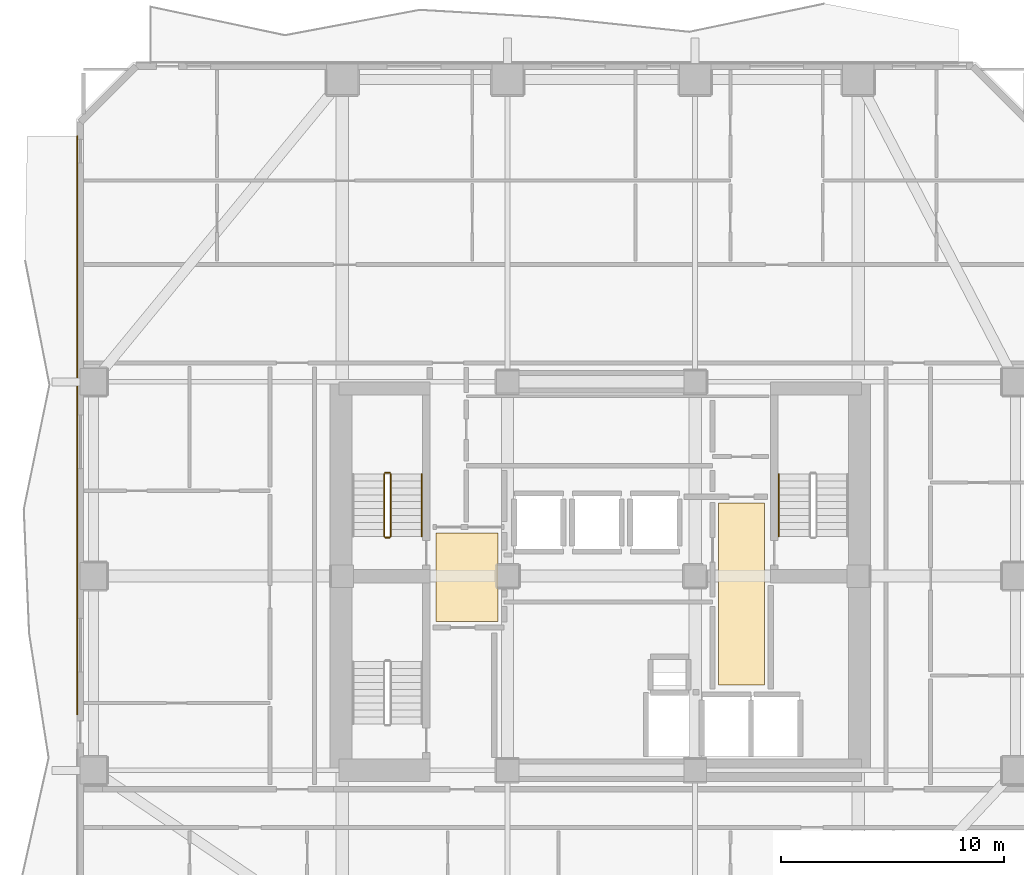
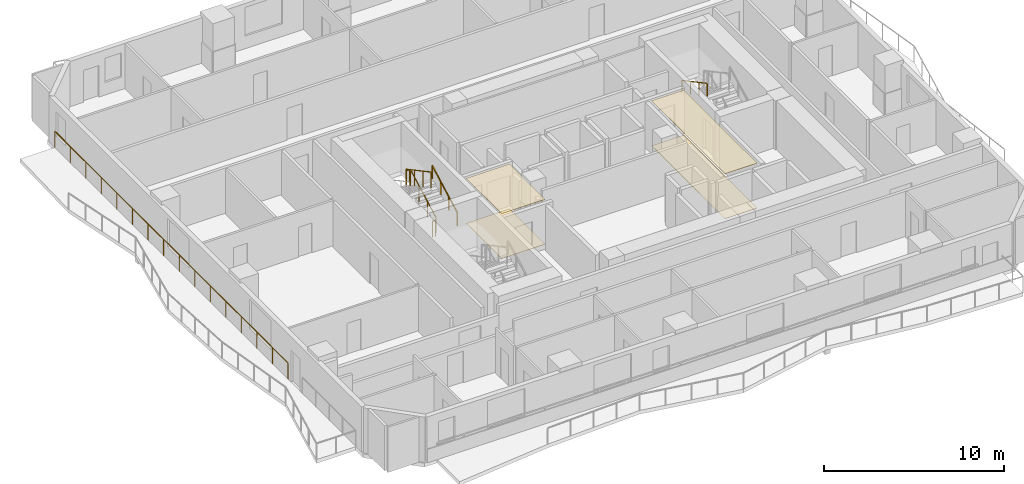
# One storey, part 10 of 12: 7 railings, 4 coverings.
"""IFC4 building model written with IfcOpenShell, lengths in metres."""

from ifc_helpers import new_model, si_unit, direction, frame, origin, origin_2d, place, context, subcontext, project, spatial, polyline, rectangle, outline, extrude, material, layer, layer_set, type_object, element, save


model = new_model("IFC4")

# Units and contexts
model_context = context("Model", 3, precision=1e-05, world=origin(), true_north=direction((0.0, 1.0)))
body_context = subcontext(model_context, "Body", "Model", "MODEL_VIEW")
ifc_project = project(units=[si_unit("LENGTHUNIT", "METRE"), si_unit("AREAUNIT", "SQUARE_METRE"), si_unit("VOLUMEUNIT", "CUBIC_METRE"), si_unit("PLANEANGLEUNIT", "RADIAN"), si_unit("MASSUNIT", "GRAM", prefix="KILO")], contexts=[model_context])

# Site, building, storey
site_placement = place(None, origin())
site = spatial("IfcSite", under=ifc_project, at=site_placement, CompositionType="ELEMENT")
building_placement = place(site_placement, origin())
building = spatial("IfcBuilding", under=site, at=building_placement, Name="Solanera Arch Residences", CompositionType="ELEMENT")
storey_placement = place(building_placement, frame((0.0, 0.0, 96.1201171875)))
storey = spatial("IfcBuildingStorey", under=building, at=storey_placement, Name="L27", CompositionType="ELEMENT", Elevation=96.1201171875)

# Railing
ifc_material_1 = material(Name="Steel S355 (ASTM A992 / A572 Grade 50)", Category="steel")
railing_type_1 = type_object("IfcRailingType", Name="Balustrade Railing BL-1100", PredefinedType="BALUSTRADE", material=ifc_material_1)
railing_1_placement = place(storey_placement, frame((1.52001953125, 24.51904296875, 0.0)))
element("IfcRailing", 1, at=railing_1_placement, inside=storey, type_object=railing_type_1, Name="L27 W Balcony Balustrade 2", PredefinedType="BALUSTRADE", context=body_context, shape_type="SweptSolid", body=[
    extrude(rectangle(XDim=0.048095703125, YDim=0.048095703125, at=origin_2d()), frame((0.0, 0.0, 1.09619140625), z_axis=(0.0, 1.0, 0.0), x_axis=(-1.0, 0.0, 0.0)), (0.0, 0.0, 1.0), 25.880859375),
    extrude(rectangle(XDim=0.0419921875, YDim=0.0419921875, at=origin_2d()), origin(), (0.0, 0.0, 1.0), 1.072021484375),
    extrude(rectangle(XDim=0.0419921875, YDim=0.0419921875, at=origin_2d()), frame((0.0, 1.725341796875, 0.0)), (0.0, 0.0, 1.0), 1.072021484375),
    extrude(rectangle(XDim=0.0419921875, YDim=0.0419921875, at=origin_2d()), frame((0.0, 3.45068359375, 0.0)), (0.0, 0.0, 1.0), 1.072021484375),
    extrude(rectangle(XDim=0.0419921875, YDim=0.0419921875, at=origin_2d()), frame((0.0, 5.17626953125, 0.0)), (0.0, 0.0, 1.0), 1.072021484375),
    extrude(rectangle(XDim=0.0419921875, YDim=0.0419921875, at=origin_2d()), frame((0.0, 6.901611328125, 0.0)), (0.0, 0.0, 1.0), 1.072021484375),
    extrude(rectangle(XDim=0.0419921875, YDim=0.0419921875, at=origin_2d()), frame((0.0, 8.626953125, 0.0)), (0.0, 0.0, 1.0), 1.072021484375),
    extrude(rectangle(XDim=0.0419921875, YDim=0.0419921875, at=origin_2d()), frame((0.0, 10.352294921875, 0.0)), (0.0, 0.0, 1.0), 1.072021484375),
    extrude(rectangle(XDim=0.0419921875, YDim=0.0419921875, at=origin_2d()), frame((0.0, 12.07763671875, 0.0)), (0.0, 0.0, 1.0), 1.072021484375),
    extrude(rectangle(XDim=0.0419921875, YDim=0.0419921875, at=origin_2d()), frame((0.0, 13.80322265625, 0.0)), (0.0, 0.0, 1.0), 1.072021484375),
    extrude(rectangle(XDim=0.0419921875, YDim=0.0419921875, at=origin_2d()), frame((0.0, 15.528564453125, 0.0)), (0.0, 0.0, 1.0), 1.072021484375),
    extrude(rectangle(XDim=0.0419921875, YDim=0.0419921875, at=origin_2d()), frame((0.0, 17.25390625, 0.0)), (0.0, 0.0, 1.0), 1.072021484375),
    extrude(rectangle(XDim=0.0419921875, YDim=0.0419921875, at=origin_2d()), frame((0.0, 18.979248046875, 0.0)), (0.0, 0.0, 1.0), 1.072021484375),
    extrude(rectangle(XDim=0.0419921875, YDim=0.0419921875, at=origin_2d()), frame((0.0, 20.70458984375, 0.0)), (0.0, 0.0, 1.0), 1.072021484375),
    extrude(rectangle(XDim=0.0419921875, YDim=0.0419921875, at=origin_2d()), frame((0.0, 22.43017578125, 0.0)), (0.0, 0.0, 1.0), 1.072021484375),
    extrude(rectangle(XDim=0.0419921875, YDim=0.0419921875, at=origin_2d()), frame((0.0, 24.155517578125, 0.0)), (0.0, 0.0, 1.0), 1.072021484375),
    extrude(rectangle(XDim=0.0419921875, YDim=0.0419921875, at=origin_2d()), frame((0.0, 25.880859375, 0.0)), (0.0, 0.0, 1.0), 1.072021484375),
])

# Coverings
ifc_material_2 = material(Name="Porcelain Acoustic Floor Tile", Category="ceramic")
ifc_layer_1 = layer(ifc_material_2, 0.02001953125)
ifc_layer_set_1 = layer_set([ifc_layer_1], Name="Porcelain Acoustic Floor Tile")
covering_type_1 = type_object("IfcCoveringType", Name="Porcelain Acoustic Floor Finish FLR-20", PredefinedType="FLOORING", material=ifc_layer_set_1)
covering_1_placement = place(storey_placement, origin())
element("IfcCovering", 2, at=covering_1_placement, inside=storey, type_object=covering_type_1, Name="L27-FFL-W Porcelain Floor Finish", PredefinedType="FLOORING", context=body_context, shape_type="SweptSolid", body=[
    extrude(outline(polyline([(20.375, 28.675048828125), (17.594970703125, 28.675048828125), (17.594970703125, 32.625), (20.375, 32.625), (20.375, 28.675048828125)])), origin(), (0.0, 0.0, 1.0), 0.019775390625),
])
covering_2_placement = place(storey_placement, origin())
element("IfcCovering", 3, at=covering_2_placement, inside=storey, type_object=covering_type_1, Name="L27-FFL-E Porcelain Floor Finish", PredefinedType="FLOORING", context=body_context, shape_type="SweptSolid", body=[
    extrude(outline(polyline([(32.304931640625, 25.824951171875), (30.25, 25.824951171875), (30.25, 33.97509765625), (32.304931640625, 33.97509765625), (32.304931640625, 25.824951171875)])), origin(), (0.0, 0.0, 1.0), 0.019775390625),
])

# Railings
ifc_material_3 = material(Name="Steel S355 (ASTM A992 / A572 Grade 50)", Category="steel")
railing_type_2 = type_object("IfcRailingType", Name="Stair Guardrail GR-1100", PredefinedType="GUARDRAIL", material=ifc_material_3)
railing_2_placement = place(storey_placement, frame((15.570068359375, 32.47998046875, 0.15087890625)))
element("IfcRailing", 4, at=railing_2_placement, inside=storey, type_object=railing_type_2, Name="L27 ST-T1 stair guard 1", PredefinedType="GUARDRAIL", context=body_context, shape_type="SweptSolid", body=[
    extrude(rectangle(XDim=0.048095703125, YDim=0.048095703125, at=origin_2d()), frame((0.0, 0.0, 1.076171875), z_axis=(0.0, 0.881580869306, 0.472033018838), x_axis=(-1.0, 0.0, 0.0)), (0.0, 0.0, 1.0), 3.164794921875),
    extrude(rectangle(XDim=0.0419921875, YDim=0.0419921875, at=origin_2d()), origin(), (0.0, 0.0, 1.0), 1.052001953125),
    extrude(rectangle(XDim=0.0419921875, YDim=0.0419921875, at=origin_2d()), frame((0.0, 0.929931640625, 0.498046875)), (0.0, 0.0, 1.0), 1.052001953125),
    extrude(rectangle(XDim=0.0419921875, YDim=0.0419921875, at=origin_2d()), frame((0.0, 1.860107421875, 0.995849609375)), (0.0, 0.0, 1.0), 1.052001953125),
    extrude(rectangle(XDim=0.0419921875, YDim=0.0419921875, at=origin_2d()), frame((0.0, 2.7900390625, 1.493896484375)), (0.0, 0.0, 1.0), 1.052001953125),
])
railing_3_placement = place(storey_placement, frame((15.52001953125, 35.320068359375, 1.644775390625)))
element("IfcRailing", 5, at=railing_3_placement, inside=storey, type_object=railing_type_2, Name="L27 ST-T1 stair guard 2", PredefinedType="GUARDRAIL", context=body_context, shape_type="SweptSolid", body=[
    extrude(rectangle(XDim=0.048095703125, YDim=0.048095703125, at=origin_2d()), frame((0.0, 0.0, 1.076171875), z_axis=(-1.0, 0.0, 0.0), x_axis=(0.0, -1.0, 0.0)), (0.0, 0.0, 1.0), 0.199951171875),
    extrude(rectangle(XDim=0.0419921875, YDim=0.0419921875, at=origin_2d()), origin(), (0.0, 0.0, 1.0), 1.052001953125),
    extrude(rectangle(XDim=0.0419921875, YDim=0.0419921875, at=origin_2d()), frame((-0.199951171875, 0.0, 0.0)), (0.0, 0.0, 1.0), 1.052001953125),
])
railing_4_placement = place(storey_placement, frame((15.27001953125, 35.27001953125, 1.810791015625)))
element("IfcRailing", 6, at=railing_4_placement, inside=storey, type_object=railing_type_2, Name="L27 ST-T1 stair guard 3", PredefinedType="GUARDRAIL", context=body_context, shape_type="SweptSolid", body=[
    extrude(rectangle(XDim=0.048095703125, YDim=0.048095703125, at=origin_2d()), frame((0.0, 0.0, 1.076171875), z_axis=(0.0, -0.881548766853, 0.472092969298), x_axis=(1.0, 0.0, 0.0)), (0.0, 0.0, 1.0), 3.1650390625),
    extrude(rectangle(XDim=0.0419921875, YDim=0.0419921875, at=origin_2d()), origin(), (0.0, 0.0, 1.0), 1.052001953125),
    extrude(rectangle(XDim=0.0419921875, YDim=0.0419921875, at=origin_2d()), frame((0.0, -0.929931640625, 0.498046875)), (0.0, 0.0, 1.0), 1.052001953125),
    extrude(rectangle(XDim=0.0419921875, YDim=0.0419921875, at=origin_2d()), frame((0.0, -1.860107421875, 0.99609375)), (0.0, 0.0, 1.0), 1.052001953125),
    extrude(rectangle(XDim=0.0419921875, YDim=0.0419921875, at=origin_2d()), frame((0.0, -2.7900390625, 1.494140625)), (0.0, 0.0, 1.0), 1.052001953125),
])
railing_5_placement = place(storey_placement, frame((15.52001953125, 32.429931640625, -0.01513671875)))
element("IfcRailing", 7, at=railing_5_placement, inside=storey, type_object=railing_type_2, Name="L27 ST-T1 stair guard 4", PredefinedType="GUARDRAIL", context=body_context, shape_type="SweptSolid", body=[
    extrude(rectangle(XDim=0.048095703125, YDim=0.048095703125, at=origin_2d()), frame((0.0, 0.0, 1.076171875), z_axis=(-1.0, 0.0, 0.0), x_axis=(0.0, -1.0, 0.0)), (0.0, 0.0, 1.0), 0.199951171875),
    extrude(rectangle(XDim=0.0419921875, YDim=0.0419921875, at=origin_2d()), origin(), (0.0, 0.0, 1.0), 1.052001953125),
    extrude(rectangle(XDim=0.0419921875, YDim=0.0419921875, at=origin_2d()), frame((-0.199951171875, 0.0, 0.0)), (0.0, 0.0, 1.0), 1.052001953125),
])
ifc_material_4 = material(Name="Steel S355 (ASTM A992 / A572 Grade 50)", Category="steel")
railing_type_3 = type_object("IfcRailingType", Name="Stair Wall Handrail HR-920", PredefinedType="HANDRAIL", material=ifc_material_4)
railing_6_placement = place(storey_placement, frame((16.949951171875, 32.47998046875, 0.165771484375)))
element("IfcRailing", 8, at=railing_6_placement, inside=storey, type_object=railing_type_3, Name="L27 ST-T1 stair handrail 1", PredefinedType="HANDRAIL", context=body_context, shape_type="SweptSolid", body=[
    extrude(rectangle(XDim=0.048095703125, YDim=0.048095703125, at=origin_2d()), frame((0.0, 0.0, 0.8759765625), z_axis=(0.0, 0.881548766853, 0.472092969298), x_axis=(-1.0, 0.0, 0.0)), (0.0, 0.0, 1.0), 3.1650390625),
    extrude(rectangle(XDim=0.0419921875, YDim=0.0419921875, at=origin_2d()), origin(), (0.0, 0.0, 1.0), 0.851806640625),
    extrude(rectangle(XDim=0.0419921875, YDim=0.0419921875, at=origin_2d()), frame((0.0, 0.929931640625, 0.498046875)), (0.0, 0.0, 1.0), 0.851806640625),
    extrude(rectangle(XDim=0.0419921875, YDim=0.0419921875, at=origin_2d()), frame((0.0, 1.860107421875, 0.99609375)), (0.0, 0.0, 1.0), 0.851806640625),
    extrude(rectangle(XDim=0.0419921875, YDim=0.0419921875, at=origin_2d()), frame((0.0, 2.7900390625, 1.494140625)), (0.0, 0.0, 1.0), 0.851806640625),
])
railing_7_placement = place(storey_placement, frame((32.949951171875, 35.27001953125, 1.825927734375)))
element("IfcRailing", 9, at=railing_7_placement, inside=storey, type_object=railing_type_3, Name="L27 ST-T2 stair handrail 2", PredefinedType="HANDRAIL", context=body_context, shape_type="SweptSolid", body=[
    extrude(rectangle(XDim=0.048095703125, YDim=0.048095703125, at=origin_2d()), frame((0.0, 0.0, 0.8759765625), z_axis=(0.0, -0.881580869306, 0.472033018838), x_axis=(1.0, 0.0, 0.0)), (0.0, 0.0, 1.0), 3.164794921875),
    extrude(rectangle(XDim=0.0419921875, YDim=0.0419921875, at=origin_2d()), origin(), (0.0, 0.0, 1.0), 0.851806640625),
    extrude(rectangle(XDim=0.0419921875, YDim=0.0419921875, at=origin_2d()), frame((0.0, -0.929931640625, 0.498046875)), (0.0, 0.0, 1.0), 0.851806640625),
    extrude(rectangle(XDim=0.0419921875, YDim=0.0419921875, at=origin_2d()), frame((0.0, -1.860107421875, 0.995849609375)), (0.0, 0.0, 1.0), 0.851806640625),
    extrude(rectangle(XDim=0.0419921875, YDim=0.0419921875, at=origin_2d()), frame((0.0, -2.7900390625, 1.493896484375)), (0.0, 0.0, 1.0), 0.851806640625),
])

# Coverings
ifc_material_5 = material(Name="Mineral Fibre Acoustic Ceiling Board", Category="gypsum")
ifc_layer_2 = layer(ifc_material_5, 0.02490234375)
ifc_layer_set_2 = layer_set([ifc_layer_2], Name="Mineral Fibre Acoustic Ceiling Board")
covering_type_2 = type_object("IfcCoveringType", Name="Suspended Acoustic Ceiling Board CLG-25", PredefinedType="CEILING", material=ifc_layer_set_2)
covering_3_placement = place(storey_placement, frame((0.0, 0.0, 3.034912109375)))
element("IfcCovering", 10, at=covering_3_placement, inside=storey, type_object=covering_type_2, Name="L27-FFL-W Acoustic Ceiling", PredefinedType="CEILING", context=body_context, shape_type="SweptSolid", body=[
    extrude(outline(polyline([(20.375, 28.675048828125), (17.594970703125, 28.675048828125), (17.594970703125, 32.625), (20.375, 32.625), (20.375, 28.675048828125)])), origin(), (0.0, 0.0, 1.0), 0.02490234375),
])
covering_4_placement = place(storey_placement, frame((0.0, 0.0, 3.034912109375)))
element("IfcCovering", 11, at=covering_4_placement, inside=storey, type_object=covering_type_2, Name="L27-FFL-E Acoustic Ceiling", PredefinedType="CEILING", context=body_context, shape_type="SweptSolid", body=[
    extrude(outline(polyline([(32.304931640625, 25.824951171875), (30.25, 25.824951171875), (30.25, 33.97509765625), (32.304931640625, 33.97509765625), (32.304931640625, 25.824951171875)])), origin(), (0.0, 0.0, 1.0), 0.02490234375),
])

save(model, "model.ifc")
